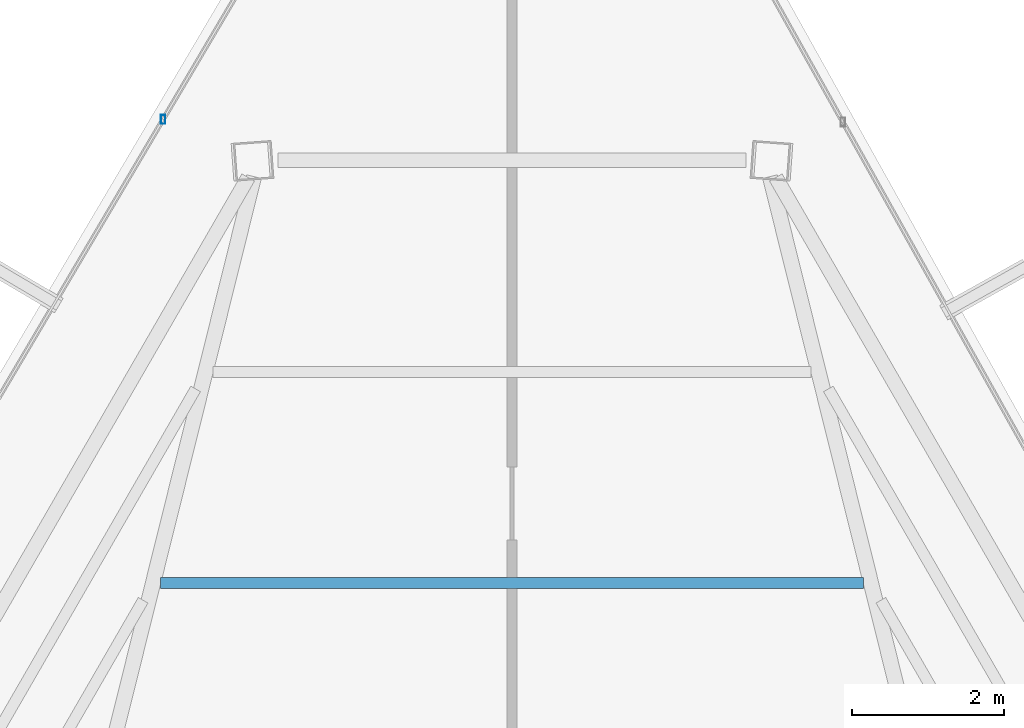
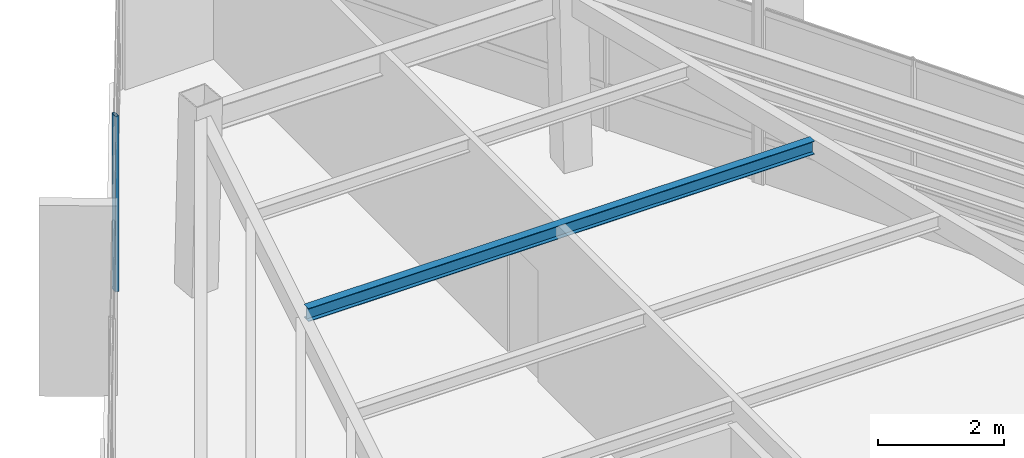
# One storey, part 35 of 45: 1 beam, 1 member, 1 element without a shape of its own.
"""IFC4 building model written with IfcOpenShell, lengths in metres."""

import ifcopenshell
import ifcopenshell.guid

model = None  # the IFC model being written
_history = None  # IfcOwnerHistory: only IFC2X3 demands one
_inside = {}  # id of a spatial element -> (the spatial element, [elements in it])
_under = {}  # id of a project, library or spatial element -> (it, [spatial elements below it])
_declared = {}  # id of a project -> (the project, [libraries it declares])
_typed = {}  # id of a type object -> (the type object, [elements of that type])
_made_of = {}  # id of a material, layer set ... -> (it, [elements and type objects made of it])


def new_model(schema):
    """Start an empty IFC model of exactly this schema.

    Asked for "IFC4X3", IfcOpenShell would pick the latest addendum, in which some entities
    have other attributes; the version numbers below select the first issue.
    IFC2X3 requires an IfcOwnerHistory on every rooted entity: one is made here for all.
    """
    global model, _history
    if schema == "IFC4X3":
        model = ifcopenshell.file(schema_version=(4, 3, 0, 0))
    else:
        model = ifcopenshell.file(schema=schema)
    _inside.clear()
    _under.clear()
    _declared.clear()
    _typed.clear()
    _made_of.clear()
    _history = None
    if model.schema == "IFC2X3":
        org = make("IfcOrganization", Name="unknown")
        user = make(
            "IfcPersonAndOrganization",
            ThePerson=make("IfcPerson", FamilyName="unknown"),
            TheOrganization=org,
        )
        app = make(
            "IfcApplication",
            ApplicationDeveloper=org,
            Version="unknown",
            ApplicationFullName="unknown",
            ApplicationIdentifier="unknown",
        )
        _history = make(
            "IfcOwnerHistory",
            OwningUser=user,
            OwningApplication=app,
            ChangeAction="ADDED",
            CreationDate=0,
        )
    return model


def make(cls, **values):
    """One entity of the class cls with the attributes given. An attribute that is None is left unset."""
    return model.create_entity(
        cls, **{name: value for name, value in values.items() if value is not None}
    )


def rooted(cls, **values):
    """An entity with a GlobalId (a new one), such as an element, a storey or a relation."""
    return make(cls, GlobalId=ifcopenshell.guid.new(), OwnerHistory=_history, **values)


def si_unit(unit_type, name, prefix=None):
    """IfcSIUnit, for example si_unit("LENGTHUNIT", "METRE", prefix="MILLI")."""
    return make("IfcSIUnit", UnitType=unit_type, Prefix=prefix, Name=name)


def assignment(units):
    """IfcUnitAssignment: the units of a project."""
    return None if units is None else make("IfcUnitAssignment", Units=units)


def point(xyz):
    """IfcCartesianPoint."""
    return None if xyz is None else make("IfcCartesianPoint", Coordinates=xyz)


def direction(xyz):
    """IfcDirection."""
    return None if xyz is None else make("IfcDirection", DirectionRatios=xyz)


def frame(location, z_axis=None, x_axis=None):
    """IfcAxis2Placement3D, a coordinate frame: its origin and axes. An axis left out is left unset."""
    return make(
        "IfcAxis2Placement3D",
        Location=point(location),
        Axis=direction(z_axis),
        RefDirection=direction(x_axis),
    )


def frame_2d(location, x_axis=None):
    """IfcAxis2Placement2D, a coordinate frame in the plane: its origin and x axis."""
    return make(
        "IfcAxis2Placement2D", Location=point(location), RefDirection=direction(x_axis)
    )


def origin():
    """The frame at (0, 0, 0) with its axes left unset."""
    return frame((0.0, 0.0, 0.0))


def origin_2d():
    """The frame at (0, 0) in the plane with its x axis left unset."""
    return frame_2d((0.0, 0.0))


def place(relative_to, where):
    """IfcLocalPlacement: puts the frame where relative to a parent placement (None: the world)."""
    return make(
        "IfcLocalPlacement", PlacementRelTo=relative_to, RelativePlacement=where
    )


def context(
    kind, dimensions, precision=None, world=None, true_north=None, identifier=None
):
    """IfcGeometricRepresentationContext, for example the 3D "Model" context."""
    return make(
        "IfcGeometricRepresentationContext",
        ContextIdentifier=identifier,
        ContextType=kind,
        CoordinateSpaceDimension=dimensions,
        Precision=precision,
        WorldCoordinateSystem=world,
        TrueNorth=true_north,
    )


def subcontext(parent, identifier, kind, view, scale=None):
    """IfcGeometricRepresentationSubContext, for example "Body" below "Model"."""
    return make(
        "IfcGeometricRepresentationSubContext",
        ContextIdentifier=identifier,
        ContextType=kind,
        ParentContext=parent,
        TargetScale=scale,
        TargetView=view,
    )


def project(units=None, contexts=None):
    """IfcProject with its units and contexts."""
    return rooted(
        "IfcProject",
        Name="project",
        RepresentationContexts=contexts,
        UnitsInContext=assignment(units),
    )


def spatial(cls, under=None, at=None, **own):
    """A site, building, storey or space (cls), placed at a placement, below another one or the project."""
    s = rooted(cls, ObjectPlacement=at, **own)
    if under is not None:
        _under.setdefault(under.id(), (under, []))[1].append(s)
    return s


def profile(cls, at=None, kind="AREA", **sizes):
    """A parametric profile (cls). Its sizes go by their IFC names, for example OverallWidth=200.0."""
    return make(cls, ProfileType=kind, Position=at, **sizes)


def hollow_rectangle(**sizes):
    """IfcRectangleHollowProfileDef."""
    return profile("IfcRectangleHollowProfileDef", **sizes)


def i_section(**sizes):
    """IfcIShapeProfileDef."""
    return profile("IfcIShapeProfileDef", **sizes)


def extrude(swept, where, along, depth):
    """IfcExtrudedAreaSolid: the profile swept, set in the frame where, extruded along a direction by depth."""
    return make(
        "IfcExtrudedAreaSolid",
        SweptArea=swept,
        Position=where,
        ExtrudedDirection=direction(along),
        Depth=depth,
    )


def shape(context_of_items, identifier, shape_type, items):
    """IfcShapeRepresentation: the items that make up one representation, for example the "Body"."""
    return make(
        "IfcShapeRepresentation",
        ContextOfItems=context_of_items,
        RepresentationIdentifier=identifier,
        RepresentationType=shape_type,
        Items=items,
    )


def source(mapping_origin, context_of_items, identifier, shape_type, items):
    """IfcRepresentationMap: a shape defined once, which mapped items show again and again."""
    return make(
        "IfcRepresentationMap",
        MappingOrigin=mapping_origin,
        MappedRepresentation=shape(context_of_items, identifier, shape_type, items),
    )


def transform(
    local_origin,
    x_axis=None,
    y_axis=None,
    z_axis=None,
    scale=None,
    scale2=None,
    scale3=None,
    uniform=True,
):
    """IfcCartesianTransformationOperator3D, or its non-uniform kind. x_axis, y_axis, z_axis: its Axis1, 2, 3."""
    if uniform:
        return make(
            "IfcCartesianTransformationOperator3D",
            Axis1=direction(x_axis),
            Axis2=direction(y_axis),
            LocalOrigin=point(local_origin),
            Scale=scale,
            Axis3=direction(z_axis),
        )
    return make(
        "IfcCartesianTransformationOperator3DnonUniform",
        Axis1=direction(x_axis),
        Axis2=direction(y_axis),
        LocalOrigin=point(local_origin),
        Scale=scale,
        Axis3=direction(z_axis),
        Scale2=scale2,
        Scale3=scale3,
    )


def mapped(mapping_source, mapping_target):
    """IfcMappedItem: shows the shape of a source again, moved by a transform."""
    return make(
        "IfcMappedItem", MappingSource=mapping_source, MappingTarget=mapping_target
    )


def material(Name=None, Category=None):
    """IfcMaterial."""
    return make("IfcMaterial", Name=Name, Category=Category)


def material_profile(
    of_material, cross_section, Name=None, Category=None, Priority=None
):
    """IfcMaterialProfile: a cross section and its material."""
    return make(
        "IfcMaterialProfile",
        Name=Name,
        Material=of_material,
        Profile=cross_section,
        Priority=Priority,
        Category=Category,
    )


def profile_set(profiles, Name=None, composite=None):
    """IfcMaterialProfileSet."""
    return make(
        "IfcMaterialProfileSet",
        Name=Name,
        MaterialProfiles=profiles,
        CompositeProfile=composite,
    )


def made_of(thing, what):
    """Note that an element or type object is made of a material, layer set ...; save() writes the relation."""
    if what is not None:
        _made_of.setdefault(what.id(), (what, []))[1].append(thing)
    return thing


def type_object(cls, material=None, **own):
    """A type object (cls), such as IfcWallType, which elements share."""
    return made_of(rooted(cls, **own), material)


def type_shapes(of_type, sources):
    """Give a type object the sources (RepresentationMaps) that its elements show as mapped items."""
    of_type.RepresentationMaps = sources


def element(
    cls,
    number,
    at=None,
    inside=None,
    cuts=None,
    type_object=None,
    material=None,
    context=None,
    identifier="Body",
    shape_type=None,
    held_by="IfcProductDefinitionShape",
    body=None,
    shapes=None,
    **own,
):
    """One element of the class cls, such as IfcWall. Its Tag is "e" and its number.

    at: its placement. inside: the storey or other place that contains it. cuts: it is an
    opening in that element (IfcRelVoidsElement). A single representation is given by context,
    identifier, shape_type and body (its items); several are given by shapes. held_by: the class
    of the entity that holds the representations. save() writes the other relations.
    """
    e = rooted(cls, Tag="e%d" % number, ObjectPlacement=at, **own)
    if body is not None:
        shapes = [shape(context, identifier, shape_type, body)]
    if shapes is not None:
        e.Representation = make(held_by, Representations=shapes)
    if inside is not None:
        _inside.setdefault(inside.id(), (inside, []))[1].append(e)
    if cuts is not None:
        rooted(
            "IfcRelVoidsElement", RelatingBuildingElement=cuts, RelatedOpeningElement=e
        )
    if type_object is not None:
        _typed.setdefault(type_object.id(), (type_object, []))[1].append(e)
    return made_of(e, material)


def aggregate(whole, parts):
    """IfcRelAggregates: a whole, such as a stair, and the parts it consists of."""
    return rooted("IfcRelAggregates", RelatingObject=whole, RelatedObjects=parts)


def save(model, path):
    """Write the relations noted so far, then the file.

    IfcRelAggregates (storeys below a building ...), IfcRelContainedInSpatialStructure (elements
    in a storey), IfcRelDefinesByType, IfcRelAssociatesMaterial and IfcRelDeclares: one each for
    every whole, place, type object, material and project.
    """
    for whole, parts in _under.values():
        aggregate(whole, parts)
    for where, things in _inside.values():
        rooted(
            "IfcRelContainedInSpatialStructure",
            RelatedElements=things,
            RelatingStructure=where,
        )
    for kind, things in _typed.values():
        rooted("IfcRelDefinesByType", RelatedObjects=things, RelatingType=kind)
    for what, things in _made_of.values():
        rooted("IfcRelAssociatesMaterial", RelatedObjects=things, RelatingMaterial=what)
    for by, libraries in _declared.values():
        rooted("IfcRelDeclares", RelatingContext=by, RelatedDefinitions=libraries)
    model.write(path)


model = new_model("IFC4")

# Units and contexts
model_context = context("Model", 3, precision=1e-05, world=origin(), true_north=direction((0.0, 1.0)))
body_context = subcontext(model_context, "Body", "Model", "MODEL_VIEW")
ifc_project = project(units=[si_unit("LENGTHUNIT", "METRE"), si_unit("AREAUNIT", "SQUARE_METRE"), si_unit("VOLUMEUNIT", "CUBIC_METRE"), si_unit("PLANEANGLEUNIT", "RADIAN"), si_unit("MASSUNIT", "GRAM", prefix="KILO")], contexts=[model_context])

# Site, building, storey
site_placement = place(None, origin())
site = spatial("IfcSite", under=ifc_project, at=site_placement, CompositionType="ELEMENT")
building_placement = place(site_placement, origin())
building = spatial("IfcBuilding", under=site, at=building_placement, Name="Caelisora Broadcast Tower", CompositionType="ELEMENT")
storey_placement = place(building_placement, frame((0.0, 0.0, 273.64990234375)))
storey = spatial("IfcBuildingStorey", under=building, at=storey_placement, Name="L72", CompositionType="ELEMENT", Elevation=273.64990234375)

# Beam
ifc_material_1 = material(Name="Steel Grade 350 (AS/NZS 3679.1)", Category="steel")
ifc_material_profile_1 = material_profile(ifc_material_1, i_section(OverallWidth=0.14599609375, OverallDepth=0.256103515625, WebThickness=0.00634765625, FlangeThickness=0.010986328125, at=origin_2d()), Name="Steel Grade 350 (AS/NZS 3679.1)")
ifc_profile_set_1 = profile_set([ifc_material_profile_1], Name="Steel Grade 350 (AS/NZS 3679.1)")
beam_type = type_object("IfcBeamType", Name="SB04", PredefinedType="JOIST", material=ifc_profile_set_1)
shared_shape_1 = source(origin(), body_context, "Body", "SweptSolid", [
    extrude(i_section(OverallWidth=0.14599609375, OverallDepth=0.256103515625, WebThickness=0.00634765625, FlangeThickness=0.010986328125, at=origin_2d()), origin(), (0.0, 0.0, 1.0), 9.26220703125),
])
type_shapes(beam_type, [shared_shape_1])
beam_placement = place(storey_placement, frame((42.631103515625, 41.14111328125, 3.27197265625), z_axis=(-1.0, 0.0, 0.0), x_axis=(0.0, -1.0, 0.0)))
element("IfcBeam", 1, at=beam_placement, inside=storey, type_object=beam_type, Name="L72 beam SB04", PredefinedType="JOIST", context=body_context, shape_type="MappedRepresentation", body=[
    mapped(shared_shape_1, transform((0.0, 0.0, 0.0), scale=1.0)),
])

# Curtain wall, member
ifc_material_2 = material(Name="Unitised Aluminium and Low-E Glass Curtain Wall", Category="glass")
curtain_wall_type = type_object("IfcCurtainWallType", Name="CW-Z5", PredefinedType="NOTDEFINED", material=ifc_material_2)
curtain_wall_placement = place(storey_placement, origin())
curtain_wall = element("IfcCurtainWall", 2, at=curtain_wall_placement, inside=storey, type_object=curtain_wall_type, Name="L72 curtain wall CW-Z5", PredefinedType="NOTDEFINED")
ifc_material_3 = material(Name="Aluminium 6063-T6 Anodised Terracotta Bronze", Category="aluminium")
ifc_material_profile_2 = material_profile(ifc_material_3, hollow_rectangle(XDim=0.06005859375, YDim=0.1201171875, WallThickness=0.0029296875, at=origin_2d()), Name="Aluminium 6063-T6 Anodised Terracotta Bronze")
ifc_profile_set_2 = profile_set([ifc_material_profile_2], Name="Aluminium 6063-T6 Anodised Terracotta Bronze")
member_type = type_object("IfcMemberType", Name="CWM-04", PredefinedType="MULLION", material=ifc_profile_set_2)
shared_shape_2 = source(origin(), body_context, "Body", "SweptSolid", [
    extrude(hollow_rectangle(XDim=0.06005859375, YDim=0.1201171875, WallThickness=0.0029296875, at=origin_2d()), origin(), (0.0, 0.0, 1.0), 3.400146484375),
])
type_shapes(member_type, [shared_shape_2])
member_placement = place(storey_placement, frame((33.40283203125, 47.25341796875, 0.0), z_axis=(0.0, 0.0, 1.0), x_axis=(1.0, 0.0, 0.0)))
member = element("IfcMember", 3, at=member_placement, type_object=member_type, Name="L72-CW-B11 mullion #2", PredefinedType="MULLION", context=body_context, shape_type="MappedRepresentation", body=[
    mapped(shared_shape_2, transform((0.0, 0.0, 0.0), scale=1.0)),
])
aggregate(curtain_wall, [member])

save(model, "model.ifc")
